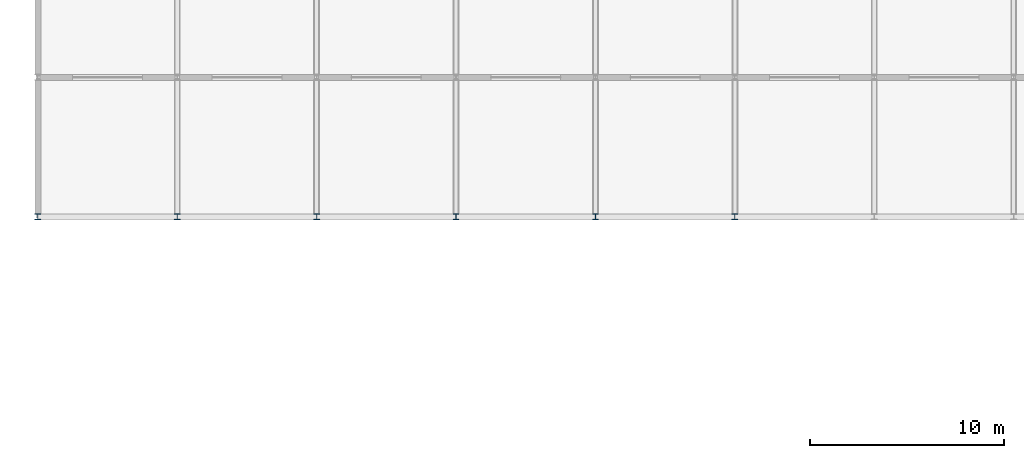
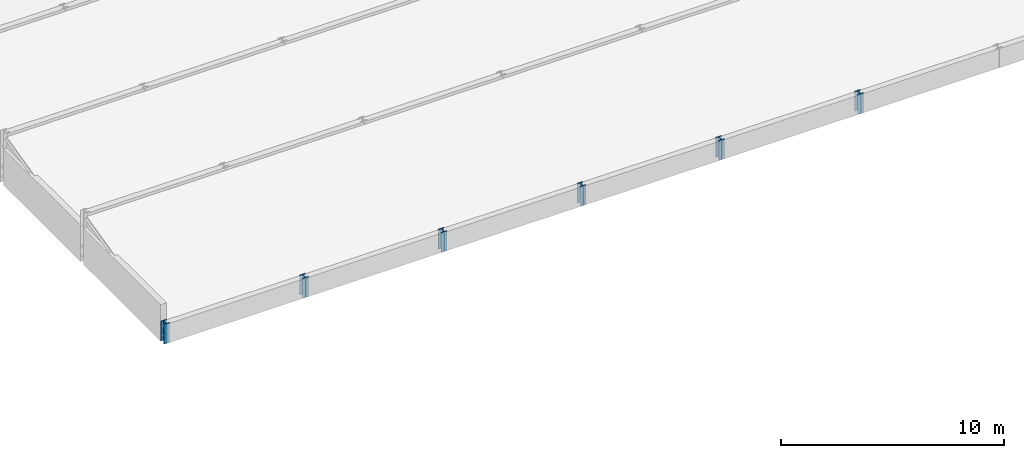
# One storey, part 2 of 19: 6 columns.
"""IFC4 building model written with IfcOpenShell, lengths in metres."""

import ifcopenshell
import ifcopenshell.guid

model = None  # the IFC model being written
_history = None  # IfcOwnerHistory: only IFC2X3 demands one
_inside = {}  # id of a spatial element -> (the spatial element, [elements in it])
_under = {}  # id of a project, library or spatial element -> (it, [spatial elements below it])
_declared = {}  # id of a project -> (the project, [libraries it declares])
_typed = {}  # id of a type object -> (the type object, [elements of that type])
_made_of = {}  # id of a material, layer set ... -> (it, [elements and type objects made of it])


def new_model(schema):
    """Start an empty IFC model of exactly this schema.

    Asked for "IFC4X3", IfcOpenShell would pick the latest addendum, in which some entities
    have other attributes; the version numbers below select the first issue.
    IFC2X3 requires an IfcOwnerHistory on every rooted entity: one is made here for all.
    """
    global model, _history
    if schema == "IFC4X3":
        model = ifcopenshell.file(schema_version=(4, 3, 0, 0))
    else:
        model = ifcopenshell.file(schema=schema)
    _inside.clear()
    _under.clear()
    _declared.clear()
    _typed.clear()
    _made_of.clear()
    _history = None
    if model.schema == "IFC2X3":
        org = make("IfcOrganization", Name="unknown")
        user = make(
            "IfcPersonAndOrganization",
            ThePerson=make("IfcPerson", FamilyName="unknown"),
            TheOrganization=org,
        )
        app = make(
            "IfcApplication",
            ApplicationDeveloper=org,
            Version="unknown",
            ApplicationFullName="unknown",
            ApplicationIdentifier="unknown",
        )
        _history = make(
            "IfcOwnerHistory",
            OwningUser=user,
            OwningApplication=app,
            ChangeAction="ADDED",
            CreationDate=0,
        )
    return model


def make(cls, **values):
    """One entity of the class cls with the attributes given. An attribute that is None is left unset."""
    return model.create_entity(
        cls, **{name: value for name, value in values.items() if value is not None}
    )


def rooted(cls, **values):
    """An entity with a GlobalId (a new one), such as an element, a storey or a relation."""
    return make(cls, GlobalId=ifcopenshell.guid.new(), OwnerHistory=_history, **values)


def si_unit(unit_type, name, prefix=None):
    """IfcSIUnit, for example si_unit("LENGTHUNIT", "METRE", prefix="MILLI")."""
    return make("IfcSIUnit", UnitType=unit_type, Prefix=prefix, Name=name)


def assignment(units):
    """IfcUnitAssignment: the units of a project."""
    return None if units is None else make("IfcUnitAssignment", Units=units)


def point(xyz):
    """IfcCartesianPoint."""
    return None if xyz is None else make("IfcCartesianPoint", Coordinates=xyz)


def direction(xyz):
    """IfcDirection."""
    return None if xyz is None else make("IfcDirection", DirectionRatios=xyz)


def frame(location, z_axis=None, x_axis=None):
    """IfcAxis2Placement3D, a coordinate frame: its origin and axes. An axis left out is left unset."""
    return make(
        "IfcAxis2Placement3D",
        Location=point(location),
        Axis=direction(z_axis),
        RefDirection=direction(x_axis),
    )


def frame_2d(location, x_axis=None):
    """IfcAxis2Placement2D, a coordinate frame in the plane: its origin and x axis."""
    return make(
        "IfcAxis2Placement2D", Location=point(location), RefDirection=direction(x_axis)
    )


def origin():
    """The frame at (0, 0, 0) with its axes left unset."""
    return frame((0.0, 0.0, 0.0))


def origin_2d():
    """The frame at (0, 0) in the plane with its x axis left unset."""
    return frame_2d((0.0, 0.0))


def place(relative_to, where):
    """IfcLocalPlacement: puts the frame where relative to a parent placement (None: the world)."""
    return make(
        "IfcLocalPlacement", PlacementRelTo=relative_to, RelativePlacement=where
    )


def context(
    kind, dimensions, precision=None, world=None, true_north=None, identifier=None
):
    """IfcGeometricRepresentationContext, for example the 3D "Model" context."""
    return make(
        "IfcGeometricRepresentationContext",
        ContextIdentifier=identifier,
        ContextType=kind,
        CoordinateSpaceDimension=dimensions,
        Precision=precision,
        WorldCoordinateSystem=world,
        TrueNorth=true_north,
    )


def subcontext(parent, identifier, kind, view, scale=None):
    """IfcGeometricRepresentationSubContext, for example "Body" below "Model"."""
    return make(
        "IfcGeometricRepresentationSubContext",
        ContextIdentifier=identifier,
        ContextType=kind,
        ParentContext=parent,
        TargetScale=scale,
        TargetView=view,
    )


def project(units=None, contexts=None):
    """IfcProject with its units and contexts."""
    return rooted(
        "IfcProject",
        Name="project",
        RepresentationContexts=contexts,
        UnitsInContext=assignment(units),
    )


def spatial(cls, under=None, at=None, **own):
    """A site, building, storey or space (cls), placed at a placement, below another one or the project."""
    s = rooted(cls, ObjectPlacement=at, **own)
    if under is not None:
        _under.setdefault(under.id(), (under, []))[1].append(s)
    return s


def profile(cls, at=None, kind="AREA", **sizes):
    """A parametric profile (cls). Its sizes go by their IFC names, for example OverallWidth=200.0."""
    return make(cls, ProfileType=kind, Position=at, **sizes)


def i_section(**sizes):
    """IfcIShapeProfileDef."""
    return profile("IfcIShapeProfileDef", **sizes)


def extrude(swept, where, along, depth):
    """IfcExtrudedAreaSolid: the profile swept, set in the frame where, extruded along a direction by depth."""
    return make(
        "IfcExtrudedAreaSolid",
        SweptArea=swept,
        Position=where,
        ExtrudedDirection=direction(along),
        Depth=depth,
    )


def shape(context_of_items, identifier, shape_type, items):
    """IfcShapeRepresentation: the items that make up one representation, for example the "Body"."""
    return make(
        "IfcShapeRepresentation",
        ContextOfItems=context_of_items,
        RepresentationIdentifier=identifier,
        RepresentationType=shape_type,
        Items=items,
    )


def material(Name=None, Category=None):
    """IfcMaterial."""
    return make("IfcMaterial", Name=Name, Category=Category)


def material_profile(
    of_material, cross_section, Name=None, Category=None, Priority=None
):
    """IfcMaterialProfile: a cross section and its material."""
    return make(
        "IfcMaterialProfile",
        Name=Name,
        Material=of_material,
        Profile=cross_section,
        Priority=Priority,
        Category=Category,
    )


def profile_set(profiles, Name=None, composite=None):
    """IfcMaterialProfileSet."""
    return make(
        "IfcMaterialProfileSet",
        Name=Name,
        MaterialProfiles=profiles,
        CompositeProfile=composite,
    )


def made_of(thing, what):
    """Note that an element or type object is made of a material, layer set ...; save() writes the relation."""
    if what is not None:
        _made_of.setdefault(what.id(), (what, []))[1].append(thing)
    return thing


def type_object(cls, material=None, **own):
    """A type object (cls), such as IfcWallType, which elements share."""
    return made_of(rooted(cls, **own), material)


def element(
    cls,
    number,
    at=None,
    inside=None,
    cuts=None,
    type_object=None,
    material=None,
    context=None,
    identifier="Body",
    shape_type=None,
    held_by="IfcProductDefinitionShape",
    body=None,
    shapes=None,
    **own,
):
    """One element of the class cls, such as IfcWall. Its Tag is "e" and its number.

    at: its placement. inside: the storey or other place that contains it. cuts: it is an
    opening in that element (IfcRelVoidsElement). A single representation is given by context,
    identifier, shape_type and body (its items); several are given by shapes. held_by: the class
    of the entity that holds the representations. save() writes the other relations.
    """
    e = rooted(cls, Tag="e%d" % number, ObjectPlacement=at, **own)
    if body is not None:
        shapes = [shape(context, identifier, shape_type, body)]
    if shapes is not None:
        e.Representation = make(held_by, Representations=shapes)
    if inside is not None:
        _inside.setdefault(inside.id(), (inside, []))[1].append(e)
    if cuts is not None:
        rooted(
            "IfcRelVoidsElement", RelatingBuildingElement=cuts, RelatedOpeningElement=e
        )
    if type_object is not None:
        _typed.setdefault(type_object.id(), (type_object, []))[1].append(e)
    return made_of(e, material)


def aggregate(whole, parts):
    """IfcRelAggregates: a whole, such as a stair, and the parts it consists of."""
    return rooted("IfcRelAggregates", RelatingObject=whole, RelatedObjects=parts)


def save(model, path):
    """Write the relations noted so far, then the file.

    IfcRelAggregates (storeys below a building ...), IfcRelContainedInSpatialStructure (elements
    in a storey), IfcRelDefinesByType, IfcRelAssociatesMaterial and IfcRelDeclares: one each for
    every whole, place, type object, material and project.
    """
    for whole, parts in _under.values():
        aggregate(whole, parts)
    for where, things in _inside.values():
        rooted(
            "IfcRelContainedInSpatialStructure",
            RelatedElements=things,
            RelatingStructure=where,
        )
    for kind, things in _typed.values():
        rooted("IfcRelDefinesByType", RelatedObjects=things, RelatingType=kind)
    for what, things in _made_of.values():
        rooted("IfcRelAssociatesMaterial", RelatedObjects=things, RelatingMaterial=what)
    for by, libraries in _declared.values():
        rooted("IfcRelDeclares", RelatingContext=by, RelatedDefinitions=libraries)
    model.write(path)


model = new_model("IFC4")

# Units and contexts
model_context = context("Model", 3, precision=1e-05, world=origin(), true_north=direction((0.0, 1.0)))
body_context = subcontext(model_context, "Body", "Model", "MODEL_VIEW")
ifc_project = project(units=[si_unit("LENGTHUNIT", "METRE"), si_unit("AREAUNIT", "SQUARE_METRE"), si_unit("VOLUMEUNIT", "CUBIC_METRE"), si_unit("PLANEANGLEUNIT", "RADIAN"), si_unit("MASSUNIT", "GRAM", prefix="KILO")], contexts=[model_context])

# Site, building, storey
site_placement = place(None, origin())
site = spatial("IfcSite", under=ifc_project, at=site_placement, CompositionType="ELEMENT")
building_placement = place(site_placement, origin())
building = spatial("IfcBuilding", under=site, at=building_placement, Name="Thalmaran Polytechnic", CompositionType="ELEMENT")
storey_placement = place(building_placement, frame((0.0, 0.0, 26.699951171875)))
storey = spatial("IfcBuildingStorey", under=building, at=storey_placement, Name="L06", CompositionType="ELEMENT", Elevation=26.699951171875)

# Columns
ifc_material = material(Name="Steel S355", Category="steel")
ifc_material_profile = material_profile(ifc_material, i_section(OverallWidth=0.300048828125, OverallDepth=0.300048828125, WebThickness=0.010986328125, FlangeThickness=0.01904296875, at=origin_2d()), Name="HEB 300")
ifc_profile_set = profile_set([ifc_material_profile], Name="Steel S355")
column_type = type_object("IfcColumnType", Name="COL-SC2", PredefinedType="COLUMN", material=ifc_profile_set)
for number, where, z_axis, x_axis, name in (
    (1, (0.0, 93.60009765625, 0.0), (0.0, 0.0, 1.0), (1.0, 0.0, 0.0), "Library Sawtooth Post G00x13"),
    (2, (7.199951171875, 93.60009765625, 0.0), (0.0, 0.0, 1.0), (1.0, 0.0, 0.0), "Library Sawtooth Post G01x13"),
    (3, (14.39990234375, 93.60009765625, 0.0), (0.0, 0.0, 1.0), (1.0, 0.0, 0.0), "Library Sawtooth Post G02x13"),
    (4, (21.60009765625, 93.60009765625, 0.0), (0.0, 0.0, 1.0), (1.0, 0.0, 0.0), "Library Sawtooth Post G03x13"),
    (5, (28.800048828125, 93.60009765625, 0.0), (0.0, 0.0, 1.0), (1.0, 0.0, 0.0), "Library Sawtooth Post G04x13"),
    (6, (36.0, 93.60009765625, 0.0), (0.0, 0.0, 1.0), (1.0, 0.0, 0.0), "Library Sawtooth Post G05x13"),
):
    element("IfcColumn", number, at=place(storey_placement, frame(where, z_axis=z_axis, x_axis=x_axis)), inside=storey, type_object=column_type, Name=name, PredefinedType="COLUMN", context=body_context, shape_type="SweptSolid", body=[
        extrude(i_section(OverallWidth=0.300048828125, OverallDepth=0.300048828125, WebThickness=0.010986328125, FlangeThickness=0.01904296875, at=origin_2d()), origin(), (0.0, 0.0, 1.0), 1.10009765625),
    ])

save(model, "model.ifc")
